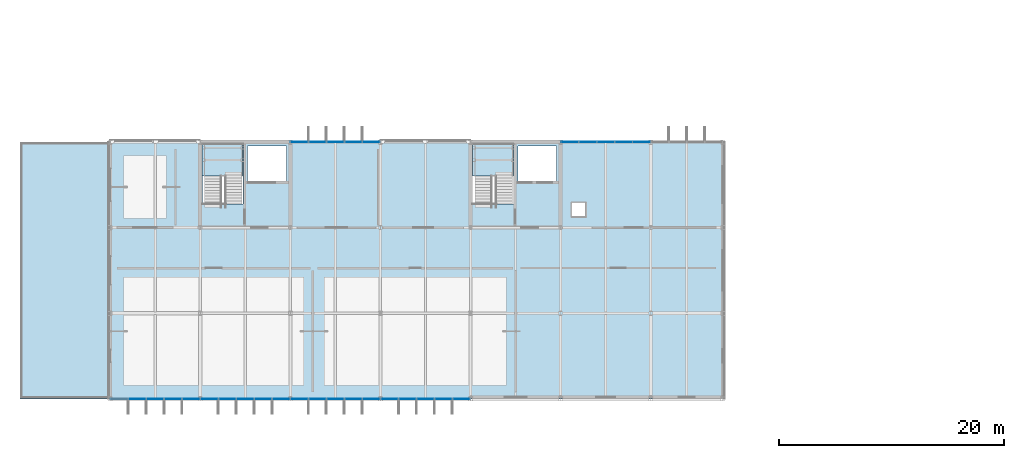
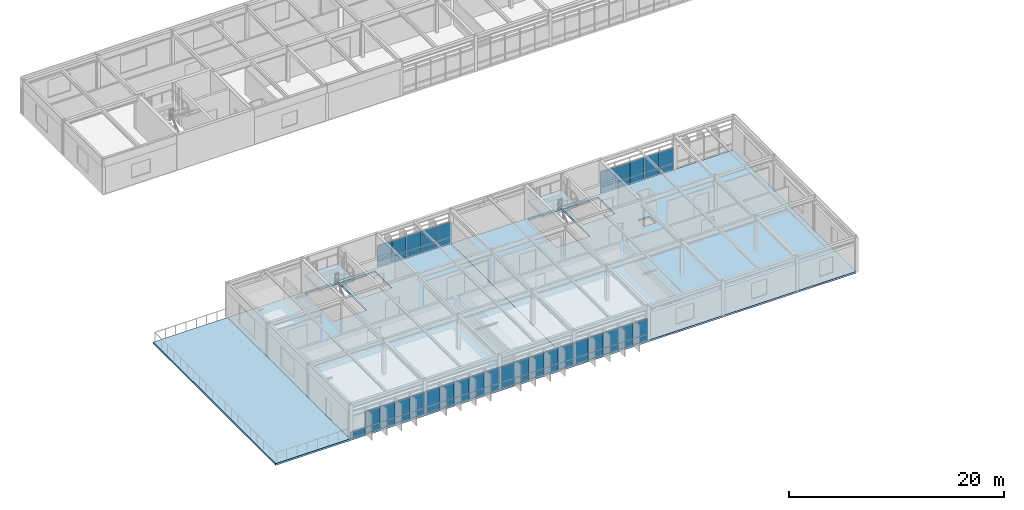
# One storey, part 28 of 45: 59 plates, 5 slabs, 8 elements without a shape of their own.
"""IFC4 building model written with IfcOpenShell, lengths in metres."""

from ifc_helpers import new_model, si_unit, direction, frame, origin, origin_2d, place, context, subcontext, project, spatial, polyline, rectangle, outline, extrude, material, layer, layer_set, type_object, element, aggregate, save


model = new_model("IFC4")

# Units and contexts
model_context = context("Model", 3, precision=1e-05, world=origin(), true_north=direction((0.0, 1.0)))
body_context = subcontext(model_context, "Body", "Model", "MODEL_VIEW")
ifc_project = project(units=[si_unit("LENGTHUNIT", "METRE"), si_unit("AREAUNIT", "SQUARE_METRE"), si_unit("VOLUMEUNIT", "CUBIC_METRE"), si_unit("PLANEANGLEUNIT", "RADIAN"), si_unit("MASSUNIT", "GRAM", prefix="KILO")], contexts=[model_context])

# Site, building, storey
site_placement = place(None, origin())
site = spatial("IfcSite", under=ifc_project, at=site_placement, CompositionType="ELEMENT")
building_placement = place(site_placement, origin())
building = spatial("IfcBuilding", under=site, at=building_placement, Name="Zulena Civic Courthouse", CompositionType="ELEMENT")
storey_placement = place(building_placement, frame((0.0, 0.0, 29.39990234375)))
storey = spatial("IfcBuildingStorey", under=building, at=storey_placement, Name="L06", CompositionType="ELEMENT", Elevation=29.39990234375)

# Curtain wall, plates
ifc_material_1 = material(Name="Double-silver low-E laminated solar-control glass", Category="glass")
curtain_wall_type = type_object("IfcCurtainWallType", Name="CW_7952x3090", PredefinedType="USERDEFINED", material=ifc_material_1)
curtain_wall_1_placement = place(storey_placement, origin())
curtain_wall_1 = element("IfcCurtainWall", 1, at=curtain_wall_1_placement, inside=storey, type_object=curtain_wall_type, Name="cw:V2:L06:1:2", ObjectType="UNITISED CURTAIN WALL", PredefinedType="USERDEFINED")
ifc_material_2 = material(Name="Ceramic-fritted insulated spandrel glass", Category="glass")
ifc_layer_1 = layer(ifc_material_2, 0.0458984375)
ifc_layer_set_1 = layer_set([ifc_layer_1], Name="Ceramic-fritted insulated spandrel glass")
plate_type_1 = type_object("IfcPlateType", Name="CWPanel_Spandrel_46", PredefinedType="CURTAIN_PANEL", material=ifc_layer_set_1)
plate_1_placement = place(storey_placement, frame((28.819091796875, 22.800048828125, 0.070068359375), z_axis=(0.0, 0.0, 1.0), x_axis=(1.0, 0.0, 0.0)))
plate_1 = element("IfcPlate", 2, at=plate_1_placement, type_object=plate_type_1, Name="cw:V2:L06:1:2:panS:0", PredefinedType="CURTAIN_PANEL", context=body_context, shape_type="SweptSolid", body=[
    extrude(rectangle(XDim=1.5400390625, YDim=0.0458984375, at=origin_2d()), origin(), (0.0, 0.0, 1.0), 0.669921875),
])
plate_2_placement = place(storey_placement, frame((30.40966796875, 22.800048828125, 0.070068359375), z_axis=(0.0, 0.0, 1.0), x_axis=(1.0, 0.0, 0.0)))
plate_2 = element("IfcPlate", 3, at=plate_2_placement, type_object=plate_type_1, Name="cw:V2:L06:1:2:panS:1", PredefinedType="CURTAIN_PANEL", context=body_context, shape_type="SweptSolid", body=[
    extrude(rectangle(XDim=1.5400390625, YDim=0.0458984375, at=origin_2d()), origin(), (0.0, 0.0, 1.0), 0.669921875),
])
plate_3_placement = place(storey_placement, frame((32.0, 22.800048828125, 0.070068359375), z_axis=(0.0, 0.0, 1.0), x_axis=(1.0, 0.0, 0.0)))
plate_3 = element("IfcPlate", 4, at=plate_3_placement, type_object=plate_type_1, Name="cw:V2:L06:1:2:panS:2", PredefinedType="CURTAIN_PANEL", context=body_context, shape_type="SweptSolid", body=[
    extrude(rectangle(XDim=1.5400390625, YDim=0.0458984375, at=origin_2d()), origin(), (0.0, 0.0, 1.0), 0.669921875),
])
plate_4_placement = place(storey_placement, frame((33.59033203125, 22.800048828125, 0.070068359375), z_axis=(0.0, 0.0, 1.0), x_axis=(1.0, 0.0, 0.0)))
plate_4 = element("IfcPlate", 5, at=plate_4_placement, type_object=plate_type_1, Name="cw:V2:L06:1:2:panS:3", PredefinedType="CURTAIN_PANEL", context=body_context, shape_type="SweptSolid", body=[
    extrude(rectangle(XDim=1.5400390625, YDim=0.0458984375, at=origin_2d()), origin(), (0.0, 0.0, 1.0), 0.669921875),
])
plate_5_placement = place(storey_placement, frame((35.180908203125, 22.800048828125, 0.070068359375), z_axis=(0.0, 0.0, 1.0), x_axis=(1.0, 0.0, 0.0)))
plate_5 = element("IfcPlate", 6, at=plate_5_placement, type_object=plate_type_1, Name="cw:V2:L06:1:2:panS:4", PredefinedType="CURTAIN_PANEL", context=body_context, shape_type="SweptSolid", body=[
    extrude(rectangle(XDim=1.5400390625, YDim=0.0458984375, at=origin_2d()), origin(), (0.0, 0.0, 1.0), 0.669921875),
])

curtain_wall_2_placement = place(storey_placement, origin())
curtain_wall_2 = element("IfcCurtainWall", 7, at=curtain_wall_2_placement, inside=storey, type_object=curtain_wall_type, Name="cw:V2:L06:1:5", ObjectType="UNITISED CURTAIN WALL", PredefinedType="USERDEFINED")
plate_6_placement = place(storey_placement, frame((52.819091796875, 22.800048828125, 0.070068359375), z_axis=(0.0, 0.0, 1.0), x_axis=(1.0, 0.0, 0.0)))
plate_6 = element("IfcPlate", 8, at=plate_6_placement, type_object=plate_type_1, Name="cw:V2:L06:1:5:panS:0", PredefinedType="CURTAIN_PANEL", context=body_context, shape_type="SweptSolid", body=[
    extrude(rectangle(XDim=1.5400390625, YDim=0.0458984375, at=origin_2d()), origin(), (0.0, 0.0, 1.0), 0.669921875),
])
plate_7_placement = place(storey_placement, frame((54.40966796875, 22.800048828125, 0.070068359375), z_axis=(0.0, 0.0, 1.0), x_axis=(1.0, 0.0, 0.0)))
plate_7 = element("IfcPlate", 9, at=plate_7_placement, type_object=plate_type_1, Name="cw:V2:L06:1:5:panS:1", PredefinedType="CURTAIN_PANEL", context=body_context, shape_type="SweptSolid", body=[
    extrude(rectangle(XDim=1.5400390625, YDim=0.0458984375, at=origin_2d()), origin(), (0.0, 0.0, 1.0), 0.669921875),
])
plate_8_placement = place(storey_placement, frame((56.0, 22.800048828125, 0.070068359375), z_axis=(0.0, 0.0, 1.0), x_axis=(1.0, 0.0, 0.0)))
plate_8 = element("IfcPlate", 10, at=plate_8_placement, type_object=plate_type_1, Name="cw:V2:L06:1:5:panS:2", PredefinedType="CURTAIN_PANEL", context=body_context, shape_type="SweptSolid", body=[
    extrude(rectangle(XDim=1.5400390625, YDim=0.0458984375, at=origin_2d()), origin(), (0.0, 0.0, 1.0), 0.669921875),
])
plate_9_placement = place(storey_placement, frame((57.59033203125, 22.800048828125, 0.070068359375), z_axis=(0.0, 0.0, 1.0), x_axis=(1.0, 0.0, 0.0)))
plate_9 = element("IfcPlate", 11, at=plate_9_placement, type_object=plate_type_1, Name="cw:V2:L06:1:5:panS:3", PredefinedType="CURTAIN_PANEL", context=body_context, shape_type="SweptSolid", body=[
    extrude(rectangle(XDim=1.5400390625, YDim=0.0458984375, at=origin_2d()), origin(), (0.0, 0.0, 1.0), 0.669921875),
])
plate_10_placement = place(storey_placement, frame((59.180908203125, 22.800048828125, 0.070068359375), z_axis=(0.0, 0.0, 1.0), x_axis=(1.0, 0.0, 0.0)))
plate_10 = element("IfcPlate", 12, at=plate_10_placement, type_object=plate_type_1, Name="cw:V2:L06:1:5:panS:4", PredefinedType="CURTAIN_PANEL", context=body_context, shape_type="SweptSolid", body=[
    extrude(rectangle(XDim=1.5400390625, YDim=0.0458984375, at=origin_2d()), origin(), (0.0, 0.0, 1.0), 0.669921875),
])

curtain_wall_3_placement = place(storey_placement, origin())
curtain_wall_3 = element("IfcCurtainWall", 13, at=curtain_wall_3_placement, inside=storey, type_object=curtain_wall_type, Name="cw:V2:L06:3:3", ObjectType="UNITISED CURTAIN WALL", PredefinedType="USERDEFINED")
plate_11_placement = place(storey_placement, frame((43.180908203125, 0.0, 0.070068359375), z_axis=(0.0, 0.0, 1.0), x_axis=(-1.0, 0.0, 0.0)))
plate_11 = element("IfcPlate", 14, at=plate_11_placement, type_object=plate_type_1, Name="cw:V2:L06:3:3:panS:0", PredefinedType="CURTAIN_PANEL", context=body_context, shape_type="SweptSolid", body=[
    extrude(rectangle(XDim=1.5400390625, YDim=0.0458984375, at=origin_2d()), origin(), (0.0, 0.0, 1.0), 0.669921875),
])
plate_12_placement = place(storey_placement, frame((41.59033203125, 0.0, 0.070068359375), z_axis=(0.0, 0.0, 1.0), x_axis=(-1.0, 0.0, 0.0)))
plate_12 = element("IfcPlate", 15, at=plate_12_placement, type_object=plate_type_1, Name="cw:V2:L06:3:3:panS:1", PredefinedType="CURTAIN_PANEL", context=body_context, shape_type="SweptSolid", body=[
    extrude(rectangle(XDim=1.5400390625, YDim=0.0458984375, at=origin_2d()), origin(), (0.0, 0.0, 1.0), 0.669921875),
])
plate_13_placement = place(storey_placement, frame((40.0, 0.0, 0.070068359375), z_axis=(0.0, 0.0, 1.0), x_axis=(-1.0, 0.0, 0.0)))
plate_13 = element("IfcPlate", 16, at=plate_13_placement, type_object=plate_type_1, Name="cw:V2:L06:3:3:panS:2", PredefinedType="CURTAIN_PANEL", context=body_context, shape_type="SweptSolid", body=[
    extrude(rectangle(XDim=1.5400390625, YDim=0.0458984375, at=origin_2d()), origin(), (0.0, 0.0, 1.0), 0.669921875),
])
plate_14_placement = place(storey_placement, frame((38.40966796875, 0.0, 0.070068359375), z_axis=(0.0, 0.0, 1.0), x_axis=(-1.0, 0.0, 0.0)))
plate_14 = element("IfcPlate", 17, at=plate_14_placement, type_object=plate_type_1, Name="cw:V2:L06:3:3:panS:3", PredefinedType="CURTAIN_PANEL", context=body_context, shape_type="SweptSolid", body=[
    extrude(rectangle(XDim=1.5400390625, YDim=0.0458984375, at=origin_2d()), origin(), (0.0, 0.0, 1.0), 0.669921875),
])
plate_15_placement = place(storey_placement, frame((36.819091796875, 0.0, 0.070068359375), z_axis=(0.0, 0.0, 1.0), x_axis=(-1.0, 0.0, 0.0)))
plate_15 = element("IfcPlate", 18, at=plate_15_placement, type_object=plate_type_1, Name="cw:V2:L06:3:3:panS:4", PredefinedType="CURTAIN_PANEL", context=body_context, shape_type="SweptSolid", body=[
    extrude(rectangle(XDim=1.5400390625, YDim=0.0458984375, at=origin_2d()), origin(), (0.0, 0.0, 1.0), 0.669921875),
])

curtain_wall_4_placement = place(storey_placement, origin())
curtain_wall_4 = element("IfcCurtainWall", 19, at=curtain_wall_4_placement, inside=storey, type_object=curtain_wall_type, Name="cw:V2:L06:3:4", ObjectType="UNITISED CURTAIN WALL", PredefinedType="USERDEFINED")
plate_16_placement = place(storey_placement, frame((35.180908203125, 0.0, 0.070068359375), z_axis=(0.0, 0.0, 1.0), x_axis=(-1.0, 0.0, 0.0)))
plate_16 = element("IfcPlate", 20, at=plate_16_placement, type_object=plate_type_1, Name="cw:V2:L06:3:4:panS:0", PredefinedType="CURTAIN_PANEL", context=body_context, shape_type="SweptSolid", body=[
    extrude(rectangle(XDim=1.5400390625, YDim=0.0458984375, at=origin_2d()), origin(), (0.0, 0.0, 1.0), 0.669921875),
])
plate_17_placement = place(storey_placement, frame((33.59033203125, 0.0, 0.070068359375), z_axis=(0.0, 0.0, 1.0), x_axis=(-1.0, 0.0, 0.0)))
plate_17 = element("IfcPlate", 21, at=plate_17_placement, type_object=plate_type_1, Name="cw:V2:L06:3:4:panS:1", PredefinedType="CURTAIN_PANEL", context=body_context, shape_type="SweptSolid", body=[
    extrude(rectangle(XDim=1.5400390625, YDim=0.0458984375, at=origin_2d()), origin(), (0.0, 0.0, 1.0), 0.669921875),
])
plate_18_placement = place(storey_placement, frame((32.0, 0.0, 0.070068359375), z_axis=(0.0, 0.0, 1.0), x_axis=(-1.0, 0.0, 0.0)))
plate_18 = element("IfcPlate", 22, at=plate_18_placement, type_object=plate_type_1, Name="cw:V2:L06:3:4:panS:2", PredefinedType="CURTAIN_PANEL", context=body_context, shape_type="SweptSolid", body=[
    extrude(rectangle(XDim=1.5400390625, YDim=0.0458984375, at=origin_2d()), origin(), (0.0, 0.0, 1.0), 0.669921875),
])
plate_19_placement = place(storey_placement, frame((30.40966796875, 0.0, 0.070068359375), z_axis=(0.0, 0.0, 1.0), x_axis=(-1.0, 0.0, 0.0)))
plate_19 = element("IfcPlate", 23, at=plate_19_placement, type_object=plate_type_1, Name="cw:V2:L06:3:4:panS:3", PredefinedType="CURTAIN_PANEL", context=body_context, shape_type="SweptSolid", body=[
    extrude(rectangle(XDim=1.5400390625, YDim=0.0458984375, at=origin_2d()), origin(), (0.0, 0.0, 1.0), 0.669921875),
])
plate_20_placement = place(storey_placement, frame((28.819091796875, 0.0, 0.070068359375), z_axis=(0.0, 0.0, 1.0), x_axis=(-1.0, 0.0, 0.0)))
plate_20 = element("IfcPlate", 24, at=plate_20_placement, type_object=plate_type_1, Name="cw:V2:L06:3:4:panS:4", PredefinedType="CURTAIN_PANEL", context=body_context, shape_type="SweptSolid", body=[
    extrude(rectangle(XDim=1.5400390625, YDim=0.0458984375, at=origin_2d()), origin(), (0.0, 0.0, 1.0), 0.669921875),
])

curtain_wall_5_placement = place(storey_placement, origin())
curtain_wall_5 = element("IfcCurtainWall", 25, at=curtain_wall_5_placement, inside=storey, type_object=curtain_wall_type, Name="cw:V2:L06:3:5", ObjectType="UNITISED CURTAIN WALL", PredefinedType="USERDEFINED")
plate_21_placement = place(storey_placement, frame((27.180908203125, 0.0, 0.070068359375), z_axis=(0.0, 0.0, 1.0), x_axis=(-1.0, 0.0, 0.0)))
plate_21 = element("IfcPlate", 26, at=plate_21_placement, type_object=plate_type_1, Name="cw:V2:L06:3:5:panS:0", PredefinedType="CURTAIN_PANEL", context=body_context, shape_type="SweptSolid", body=[
    extrude(rectangle(XDim=1.5400390625, YDim=0.0458984375, at=origin_2d()), origin(), (0.0, 0.0, 1.0), 0.669921875),
])
plate_22_placement = place(storey_placement, frame((25.59033203125, 0.0, 0.070068359375), z_axis=(0.0, 0.0, 1.0), x_axis=(-1.0, 0.0, 0.0)))
plate_22 = element("IfcPlate", 27, at=plate_22_placement, type_object=plate_type_1, Name="cw:V2:L06:3:5:panS:1", PredefinedType="CURTAIN_PANEL", context=body_context, shape_type="SweptSolid", body=[
    extrude(rectangle(XDim=1.5400390625, YDim=0.0458984375, at=origin_2d()), origin(), (0.0, 0.0, 1.0), 0.669921875),
])
plate_23_placement = place(storey_placement, frame((24.0, 0.0, 0.070068359375), z_axis=(0.0, 0.0, 1.0), x_axis=(-1.0, 0.0, 0.0)))
plate_23 = element("IfcPlate", 28, at=plate_23_placement, type_object=plate_type_1, Name="cw:V2:L06:3:5:panS:2", PredefinedType="CURTAIN_PANEL", context=body_context, shape_type="SweptSolid", body=[
    extrude(rectangle(XDim=1.5400390625, YDim=0.0458984375, at=origin_2d()), origin(), (0.0, 0.0, 1.0), 0.669921875),
])
plate_24_placement = place(storey_placement, frame((22.40966796875, 0.0, 0.070068359375), z_axis=(0.0, 0.0, 1.0), x_axis=(-1.0, 0.0, 0.0)))
plate_24 = element("IfcPlate", 29, at=plate_24_placement, type_object=plate_type_1, Name="cw:V2:L06:3:5:panS:3", PredefinedType="CURTAIN_PANEL", context=body_context, shape_type="SweptSolid", body=[
    extrude(rectangle(XDim=1.5400390625, YDim=0.0458984375, at=origin_2d()), origin(), (0.0, 0.0, 1.0), 0.669921875),
])
plate_25_placement = place(storey_placement, frame((20.819091796875, 0.0, 0.070068359375), z_axis=(0.0, 0.0, 1.0), x_axis=(-1.0, 0.0, 0.0)))
plate_25 = element("IfcPlate", 30, at=plate_25_placement, type_object=plate_type_1, Name="cw:V2:L06:3:5:panS:4", PredefinedType="CURTAIN_PANEL", context=body_context, shape_type="SweptSolid", body=[
    extrude(rectangle(XDim=1.5400390625, YDim=0.0458984375, at=origin_2d()), origin(), (0.0, 0.0, 1.0), 0.669921875),
])

curtain_wall_6_placement = place(storey_placement, origin())
curtain_wall_6 = element("IfcCurtainWall", 31, at=curtain_wall_6_placement, inside=storey, type_object=curtain_wall_type, Name="cw:V2:L06:3:6", ObjectType="UNITISED CURTAIN WALL", PredefinedType="USERDEFINED")
plate_26_placement = place(storey_placement, frame((19.180908203125, 0.0, 0.070068359375), z_axis=(0.0, 0.0, 1.0), x_axis=(-1.0, 0.0, 0.0)))
plate_26 = element("IfcPlate", 32, at=plate_26_placement, type_object=plate_type_1, Name="cw:V2:L06:3:6:panS:0", PredefinedType="CURTAIN_PANEL", context=body_context, shape_type="SweptSolid", body=[
    extrude(rectangle(XDim=1.5400390625, YDim=0.0458984375, at=origin_2d()), origin(), (0.0, 0.0, 1.0), 0.669921875),
])
plate_27_placement = place(storey_placement, frame((17.59033203125, 0.0, 0.070068359375), z_axis=(0.0, 0.0, 1.0), x_axis=(-1.0, 0.0, 0.0)))
plate_27 = element("IfcPlate", 33, at=plate_27_placement, type_object=plate_type_1, Name="cw:V2:L06:3:6:panS:1", PredefinedType="CURTAIN_PANEL", context=body_context, shape_type="SweptSolid", body=[
    extrude(rectangle(XDim=1.5400390625, YDim=0.0458984375, at=origin_2d()), origin(), (0.0, 0.0, 1.0), 0.669921875),
])
plate_28_placement = place(storey_placement, frame((16.0, 0.0, 0.070068359375), z_axis=(0.0, 0.0, 1.0), x_axis=(-1.0, 0.0, 0.0)))
plate_28 = element("IfcPlate", 34, at=plate_28_placement, type_object=plate_type_1, Name="cw:V2:L06:3:6:panS:2", PredefinedType="CURTAIN_PANEL", context=body_context, shape_type="SweptSolid", body=[
    extrude(rectangle(XDim=1.5400390625, YDim=0.0458984375, at=origin_2d()), origin(), (0.0, 0.0, 1.0), 0.669921875),
])
plate_29_placement = place(storey_placement, frame((14.40966796875, 0.0, 0.070068359375), z_axis=(0.0, 0.0, 1.0), x_axis=(-1.0, 0.0, 0.0)))
plate_29 = element("IfcPlate", 35, at=plate_29_placement, type_object=plate_type_1, Name="cw:V2:L06:3:6:panS:3", PredefinedType="CURTAIN_PANEL", context=body_context, shape_type="SweptSolid", body=[
    extrude(rectangle(XDim=1.5400390625, YDim=0.0458984375, at=origin_2d()), origin(), (0.0, 0.0, 1.0), 0.669921875),
])
plate_30_placement = place(storey_placement, frame((12.819091796875, 0.0, 0.070068359375), z_axis=(0.0, 0.0, 1.0), x_axis=(-1.0, 0.0, 0.0)))
plate_30 = element("IfcPlate", 36, at=plate_30_placement, type_object=plate_type_1, Name="cw:V2:L06:3:6:panS:4", PredefinedType="CURTAIN_PANEL", context=body_context, shape_type="SweptSolid", body=[
    extrude(rectangle(XDim=1.5400390625, YDim=0.0458984375, at=origin_2d()), origin(), (0.0, 0.0, 1.0), 0.669921875),
])

# Plate
ifc_layer_2 = layer(ifc_material_1, 0.035888671875)
ifc_layer_set_2 = layer_set([ifc_layer_2], Name="Double-silver low-E laminated solar-control glass")
plate_type_2 = type_object("IfcPlateType", Name="CWPanel_Vision_36", PredefinedType="CURTAIN_PANEL", material=ifc_layer_set_2)
plate_31_placement = place(storey_placement, frame((28.819091796875, 22.800048828125, 0.760009765625), z_axis=(0.0, 0.0, 1.0), x_axis=(1.0, 0.0, 0.0)))
plate_31 = element("IfcPlate", 37, at=plate_31_placement, type_object=plate_type_2, Name="cw:V2:L06:1:2:panV:0", PredefinedType="CURTAIN_PANEL", context=body_context, shape_type="SweptSolid", body=[
    extrude(rectangle(XDim=1.5400390625, YDim=0.035888671875, at=origin_2d()), origin(), (0.0, 0.0, 1.0), 1.77001953125),
])

plate_32_placement = place(storey_placement, frame((30.40966796875, 22.800048828125, 0.760009765625), z_axis=(0.0, 0.0, 1.0), x_axis=(1.0, 0.0, 0.0)))
plate_32 = element("IfcPlate", 38, at=plate_32_placement, type_object=plate_type_2, Name="cw:V2:L06:1:2:panV:1", PredefinedType="CURTAIN_PANEL", context=body_context, shape_type="SweptSolid", body=[
    extrude(rectangle(XDim=1.5400390625, YDim=0.035888671875, at=origin_2d()), origin(), (0.0, 0.0, 1.0), 1.77001953125),
])

plate_33_placement = place(storey_placement, frame((32.0, 22.800048828125, 0.760009765625), z_axis=(0.0, 0.0, 1.0), x_axis=(1.0, 0.0, 0.0)))
plate_33 = element("IfcPlate", 39, at=plate_33_placement, type_object=plate_type_2, Name="cw:V2:L06:1:2:panV:2", PredefinedType="CURTAIN_PANEL", context=body_context, shape_type="SweptSolid", body=[
    extrude(rectangle(XDim=1.5400390625, YDim=0.035888671875, at=origin_2d()), origin(), (0.0, 0.0, 1.0), 1.77001953125),
])

plate_34_placement = place(storey_placement, frame((33.59033203125, 22.800048828125, 0.760009765625), z_axis=(0.0, 0.0, 1.0), x_axis=(1.0, 0.0, 0.0)))
plate_34 = element("IfcPlate", 40, at=plate_34_placement, type_object=plate_type_2, Name="cw:V2:L06:1:2:panV:3", PredefinedType="CURTAIN_PANEL", context=body_context, shape_type="SweptSolid", body=[
    extrude(rectangle(XDim=1.5400390625, YDim=0.035888671875, at=origin_2d()), origin(), (0.0, 0.0, 1.0), 1.77001953125),
])

plate_35_placement = place(storey_placement, frame((35.180908203125, 22.800048828125, 0.760009765625), z_axis=(0.0, 0.0, 1.0), x_axis=(1.0, 0.0, 0.0)))
plate_35 = element("IfcPlate", 41, at=plate_35_placement, type_object=plate_type_2, Name="cw:V2:L06:1:2:panV:4", PredefinedType="CURTAIN_PANEL", context=body_context, shape_type="SweptSolid", body=[
    extrude(rectangle(XDim=1.5400390625, YDim=0.035888671875, at=origin_2d()), origin(), (0.0, 0.0, 1.0), 1.77001953125),
])

aggregate(curtain_wall_1, [plate_31, plate_1, plate_32, plate_2, plate_33, plate_3, plate_34, plate_4, plate_35, plate_5])

plate_36_placement = place(storey_placement, frame((52.819091796875, 22.800048828125, 0.760009765625), z_axis=(0.0, 0.0, 1.0), x_axis=(1.0, 0.0, 0.0)))
plate_36 = element("IfcPlate", 42, at=plate_36_placement, type_object=plate_type_2, Name="cw:V2:L06:1:5:panV:0", PredefinedType="CURTAIN_PANEL", context=body_context, shape_type="SweptSolid", body=[
    extrude(rectangle(XDim=1.5400390625, YDim=0.035888671875, at=origin_2d()), origin(), (0.0, 0.0, 1.0), 1.77001953125),
])

plate_37_placement = place(storey_placement, frame((54.40966796875, 22.800048828125, 0.760009765625), z_axis=(0.0, 0.0, 1.0), x_axis=(1.0, 0.0, 0.0)))
plate_37 = element("IfcPlate", 43, at=plate_37_placement, type_object=plate_type_2, Name="cw:V2:L06:1:5:panV:1", PredefinedType="CURTAIN_PANEL", context=body_context, shape_type="SweptSolid", body=[
    extrude(rectangle(XDim=1.5400390625, YDim=0.035888671875, at=origin_2d()), origin(), (0.0, 0.0, 1.0), 1.77001953125),
])

plate_38_placement = place(storey_placement, frame((56.0, 22.800048828125, 0.760009765625), z_axis=(0.0, 0.0, 1.0), x_axis=(1.0, 0.0, 0.0)))
plate_38 = element("IfcPlate", 44, at=plate_38_placement, type_object=plate_type_2, Name="cw:V2:L06:1:5:panV:2", PredefinedType="CURTAIN_PANEL", context=body_context, shape_type="SweptSolid", body=[
    extrude(rectangle(XDim=1.5400390625, YDim=0.035888671875, at=origin_2d()), origin(), (0.0, 0.0, 1.0), 1.77001953125),
])

plate_39_placement = place(storey_placement, frame((57.59033203125, 22.800048828125, 0.760009765625), z_axis=(0.0, 0.0, 1.0), x_axis=(1.0, 0.0, 0.0)))
plate_39 = element("IfcPlate", 45, at=plate_39_placement, type_object=plate_type_2, Name="cw:V2:L06:1:5:panV:3", PredefinedType="CURTAIN_PANEL", context=body_context, shape_type="SweptSolid", body=[
    extrude(rectangle(XDim=1.5400390625, YDim=0.035888671875, at=origin_2d()), origin(), (0.0, 0.0, 1.0), 1.77001953125),
])

plate_40_placement = place(storey_placement, frame((59.180908203125, 22.800048828125, 0.760009765625), z_axis=(0.0, 0.0, 1.0), x_axis=(1.0, 0.0, 0.0)))
plate_40 = element("IfcPlate", 46, at=plate_40_placement, type_object=plate_type_2, Name="cw:V2:L06:1:5:panV:4", PredefinedType="CURTAIN_PANEL", context=body_context, shape_type="SweptSolid", body=[
    extrude(rectangle(XDim=1.5400390625, YDim=0.035888671875, at=origin_2d()), origin(), (0.0, 0.0, 1.0), 1.77001953125),
])

aggregate(curtain_wall_2, [plate_36, plate_6, plate_37, plate_7, plate_38, plate_8, plate_39, plate_9, plate_40, plate_10])

plate_41_placement = place(storey_placement, frame((43.180908203125, 0.0, 0.760009765625), z_axis=(0.0, 0.0, 1.0), x_axis=(-1.0, 0.0, 0.0)))
plate_41 = element("IfcPlate", 47, at=plate_41_placement, type_object=plate_type_2, Name="cw:V2:L06:3:3:panV:0", PredefinedType="CURTAIN_PANEL", context=body_context, shape_type="SweptSolid", body=[
    extrude(rectangle(XDim=1.5400390625, YDim=0.035888671875, at=origin_2d()), origin(), (0.0, 0.0, 1.0), 1.77001953125),
])

plate_42_placement = place(storey_placement, frame((41.59033203125, 0.0, 0.760009765625), z_axis=(0.0, 0.0, 1.0), x_axis=(-1.0, 0.0, 0.0)))
plate_42 = element("IfcPlate", 48, at=plate_42_placement, type_object=plate_type_2, Name="cw:V2:L06:3:3:panV:1", PredefinedType="CURTAIN_PANEL", context=body_context, shape_type="SweptSolid", body=[
    extrude(rectangle(XDim=1.5400390625, YDim=0.035888671875, at=origin_2d()), origin(), (0.0, 0.0, 1.0), 1.77001953125),
])

plate_43_placement = place(storey_placement, frame((40.0, 0.0, 0.760009765625), z_axis=(0.0, 0.0, 1.0), x_axis=(-1.0, 0.0, 0.0)))
plate_43 = element("IfcPlate", 49, at=plate_43_placement, type_object=plate_type_2, Name="cw:V2:L06:3:3:panV:2", PredefinedType="CURTAIN_PANEL", context=body_context, shape_type="SweptSolid", body=[
    extrude(rectangle(XDim=1.5400390625, YDim=0.035888671875, at=origin_2d()), origin(), (0.0, 0.0, 1.0), 1.77001953125),
])

plate_44_placement = place(storey_placement, frame((38.40966796875, 0.0, 0.760009765625), z_axis=(0.0, 0.0, 1.0), x_axis=(-1.0, 0.0, 0.0)))
plate_44 = element("IfcPlate", 50, at=plate_44_placement, type_object=plate_type_2, Name="cw:V2:L06:3:3:panV:3", PredefinedType="CURTAIN_PANEL", context=body_context, shape_type="SweptSolid", body=[
    extrude(rectangle(XDim=1.5400390625, YDim=0.035888671875, at=origin_2d()), origin(), (0.0, 0.0, 1.0), 1.77001953125),
])

plate_45_placement = place(storey_placement, frame((36.819091796875, 0.0, 0.760009765625), z_axis=(0.0, 0.0, 1.0), x_axis=(-1.0, 0.0, 0.0)))
plate_45 = element("IfcPlate", 51, at=plate_45_placement, type_object=plate_type_2, Name="cw:V2:L06:3:3:panV:4", PredefinedType="CURTAIN_PANEL", context=body_context, shape_type="SweptSolid", body=[
    extrude(rectangle(XDim=1.5400390625, YDim=0.035888671875, at=origin_2d()), origin(), (0.0, 0.0, 1.0), 1.77001953125),
])

aggregate(curtain_wall_3, [plate_41, plate_11, plate_42, plate_12, plate_43, plate_13, plate_44, plate_14, plate_45, plate_15])

plate_46_placement = place(storey_placement, frame((35.180908203125, 0.0, 0.760009765625), z_axis=(0.0, 0.0, 1.0), x_axis=(-1.0, 0.0, 0.0)))
plate_46 = element("IfcPlate", 52, at=plate_46_placement, type_object=plate_type_2, Name="cw:V2:L06:3:4:panV:0", PredefinedType="CURTAIN_PANEL", context=body_context, shape_type="SweptSolid", body=[
    extrude(rectangle(XDim=1.5400390625, YDim=0.035888671875, at=origin_2d()), origin(), (0.0, 0.0, 1.0), 1.77001953125),
])

plate_47_placement = place(storey_placement, frame((33.59033203125, 0.0, 0.760009765625), z_axis=(0.0, 0.0, 1.0), x_axis=(-1.0, 0.0, 0.0)))
plate_47 = element("IfcPlate", 53, at=plate_47_placement, type_object=plate_type_2, Name="cw:V2:L06:3:4:panV:1", PredefinedType="CURTAIN_PANEL", context=body_context, shape_type="SweptSolid", body=[
    extrude(rectangle(XDim=1.5400390625, YDim=0.035888671875, at=origin_2d()), origin(), (0.0, 0.0, 1.0), 1.77001953125),
])

plate_48_placement = place(storey_placement, frame((32.0, 0.0, 0.760009765625), z_axis=(0.0, 0.0, 1.0), x_axis=(-1.0, 0.0, 0.0)))
plate_48 = element("IfcPlate", 54, at=plate_48_placement, type_object=plate_type_2, Name="cw:V2:L06:3:4:panV:2", PredefinedType="CURTAIN_PANEL", context=body_context, shape_type="SweptSolid", body=[
    extrude(rectangle(XDim=1.5400390625, YDim=0.035888671875, at=origin_2d()), origin(), (0.0, 0.0, 1.0), 1.77001953125),
])

plate_49_placement = place(storey_placement, frame((30.40966796875, 0.0, 0.760009765625), z_axis=(0.0, 0.0, 1.0), x_axis=(-1.0, 0.0, 0.0)))
plate_49 = element("IfcPlate", 55, at=plate_49_placement, type_object=plate_type_2, Name="cw:V2:L06:3:4:panV:3", PredefinedType="CURTAIN_PANEL", context=body_context, shape_type="SweptSolid", body=[
    extrude(rectangle(XDim=1.5400390625, YDim=0.035888671875, at=origin_2d()), origin(), (0.0, 0.0, 1.0), 1.77001953125),
])

plate_50_placement = place(storey_placement, frame((28.819091796875, 0.0, 0.760009765625), z_axis=(0.0, 0.0, 1.0), x_axis=(-1.0, 0.0, 0.0)))
plate_50 = element("IfcPlate", 56, at=plate_50_placement, type_object=plate_type_2, Name="cw:V2:L06:3:4:panV:4", PredefinedType="CURTAIN_PANEL", context=body_context, shape_type="SweptSolid", body=[
    extrude(rectangle(XDim=1.5400390625, YDim=0.035888671875, at=origin_2d()), origin(), (0.0, 0.0, 1.0), 1.77001953125),
])

aggregate(curtain_wall_4, [plate_46, plate_16, plate_47, plate_17, plate_48, plate_18, plate_49, plate_19, plate_50, plate_20])

plate_51_placement = place(storey_placement, frame((27.180908203125, 0.0, 0.760009765625), z_axis=(0.0, 0.0, 1.0), x_axis=(-1.0, 0.0, 0.0)))
plate_51 = element("IfcPlate", 57, at=plate_51_placement, type_object=plate_type_2, Name="cw:V2:L06:3:5:panV:0", PredefinedType="CURTAIN_PANEL", context=body_context, shape_type="SweptSolid", body=[
    extrude(rectangle(XDim=1.5400390625, YDim=0.035888671875, at=origin_2d()), origin(), (0.0, 0.0, 1.0), 1.77001953125),
])

plate_52_placement = place(storey_placement, frame((25.59033203125, 0.0, 0.760009765625), z_axis=(0.0, 0.0, 1.0), x_axis=(-1.0, 0.0, 0.0)))
plate_52 = element("IfcPlate", 58, at=plate_52_placement, type_object=plate_type_2, Name="cw:V2:L06:3:5:panV:1", PredefinedType="CURTAIN_PANEL", context=body_context, shape_type="SweptSolid", body=[
    extrude(rectangle(XDim=1.5400390625, YDim=0.035888671875, at=origin_2d()), origin(), (0.0, 0.0, 1.0), 1.77001953125),
])

plate_53_placement = place(storey_placement, frame((24.0, 0.0, 0.760009765625), z_axis=(0.0, 0.0, 1.0), x_axis=(-1.0, 0.0, 0.0)))
plate_53 = element("IfcPlate", 59, at=plate_53_placement, type_object=plate_type_2, Name="cw:V2:L06:3:5:panV:2", PredefinedType="CURTAIN_PANEL", context=body_context, shape_type="SweptSolid", body=[
    extrude(rectangle(XDim=1.5400390625, YDim=0.035888671875, at=origin_2d()), origin(), (0.0, 0.0, 1.0), 1.77001953125),
])

plate_54_placement = place(storey_placement, frame((22.40966796875, 0.0, 0.760009765625), z_axis=(0.0, 0.0, 1.0), x_axis=(-1.0, 0.0, 0.0)))
plate_54 = element("IfcPlate", 60, at=plate_54_placement, type_object=plate_type_2, Name="cw:V2:L06:3:5:panV:3", PredefinedType="CURTAIN_PANEL", context=body_context, shape_type="SweptSolid", body=[
    extrude(rectangle(XDim=1.5400390625, YDim=0.035888671875, at=origin_2d()), origin(), (0.0, 0.0, 1.0), 1.77001953125),
])

plate_55_placement = place(storey_placement, frame((20.819091796875, 0.0, 0.760009765625), z_axis=(0.0, 0.0, 1.0), x_axis=(-1.0, 0.0, 0.0)))
plate_55 = element("IfcPlate", 61, at=plate_55_placement, type_object=plate_type_2, Name="cw:V2:L06:3:5:panV:4", PredefinedType="CURTAIN_PANEL", context=body_context, shape_type="SweptSolid", body=[
    extrude(rectangle(XDim=1.5400390625, YDim=0.035888671875, at=origin_2d()), origin(), (0.0, 0.0, 1.0), 1.77001953125),
])

aggregate(curtain_wall_5, [plate_51, plate_21, plate_52, plate_22, plate_53, plate_23, plate_54, plate_24, plate_55, plate_25])

plate_56_placement = place(storey_placement, frame((19.180908203125, 0.0, 0.760009765625), z_axis=(0.0, 0.0, 1.0), x_axis=(-1.0, 0.0, 0.0)))
plate_56 = element("IfcPlate", 62, at=plate_56_placement, type_object=plate_type_2, Name="cw:V2:L06:3:6:panV:0", PredefinedType="CURTAIN_PANEL", context=body_context, shape_type="SweptSolid", body=[
    extrude(rectangle(XDim=1.5400390625, YDim=0.035888671875, at=origin_2d()), origin(), (0.0, 0.0, 1.0), 1.77001953125),
])

plate_57_placement = place(storey_placement, frame((17.59033203125, 0.0, 0.760009765625), z_axis=(0.0, 0.0, 1.0), x_axis=(-1.0, 0.0, 0.0)))
plate_57 = element("IfcPlate", 63, at=plate_57_placement, type_object=plate_type_2, Name="cw:V2:L06:3:6:panV:1", PredefinedType="CURTAIN_PANEL", context=body_context, shape_type="SweptSolid", body=[
    extrude(rectangle(XDim=1.5400390625, YDim=0.035888671875, at=origin_2d()), origin(), (0.0, 0.0, 1.0), 1.77001953125),
])

plate_58_placement = place(storey_placement, frame((16.0, 0.0, 0.760009765625), z_axis=(0.0, 0.0, 1.0), x_axis=(-1.0, 0.0, 0.0)))
plate_58 = element("IfcPlate", 64, at=plate_58_placement, type_object=plate_type_2, Name="cw:V2:L06:3:6:panV:2", PredefinedType="CURTAIN_PANEL", context=body_context, shape_type="SweptSolid", body=[
    extrude(rectangle(XDim=1.5400390625, YDim=0.035888671875, at=origin_2d()), origin(), (0.0, 0.0, 1.0), 1.77001953125),
])

plate_59_placement = place(storey_placement, frame((14.40966796875, 0.0, 0.760009765625), z_axis=(0.0, 0.0, 1.0), x_axis=(-1.0, 0.0, 0.0)))
plate_59 = element("IfcPlate", 65, at=plate_59_placement, type_object=plate_type_2, Name="cw:V2:L06:3:6:panV:3", PredefinedType="CURTAIN_PANEL", context=body_context, shape_type="SweptSolid", body=[
    extrude(rectangle(XDim=1.5400390625, YDim=0.035888671875, at=origin_2d()), origin(), (0.0, 0.0, 1.0), 1.77001953125),
])

aggregate(curtain_wall_6, [plate_56, plate_26, plate_57, plate_27, plate_58, plate_28, plate_59, plate_29, plate_30])

# Slabs
ifc_material_3 = material(Name="Concrete C35/45", Category="concrete")
ifc_layer_3 = layer(ifc_material_3, 0.205078125)
ifc_layer_set_3 = layer_set([ifc_layer_3], Name="Concrete C35/45")
slab_type_1 = type_object("IfcSlabType", Name="FloorSlab_205", PredefinedType="FLOOR", material=ifc_layer_set_3)
slab_1_placement = place(storey_placement, frame((0.0, 0.0, -0.204833984375)))
element("IfcSlab", 66, at=slab_1_placement, inside=storey, type_object=slab_type_1, Name="slab:V2:L06_1", PredefinedType="FLOOR", context=body_context, shape_type="SweptSolid", body=[
    extrude(outline(polyline([(36.0, 22.800048828125), (36.0, 0.0), (12.0, 0.0), (12.0, 22.800048828125), (36.0, 22.800048828125)]), holes=[polyline([(23.81005859375, 22.610107421875), (20.18994140625, 22.610107421875), (20.18994140625, 17.320068359375), (23.81005859375, 17.320068359375), (23.81005859375, 22.610107421875)]), polyline([(27.64990234375, 19.300048828125), (27.64990234375, 22.449951171875), (24.199951171875, 22.449951171875), (24.199951171875, 19.300048828125), (27.64990234375, 19.300048828125)])]), origin(), (0.0, 0.0, 1.0), 0.204833984375),
])
slab_2_placement = place(storey_placement, frame((0.0, 0.0, -0.204833984375)))
element("IfcSlab", 67, at=slab_2_placement, inside=storey, type_object=slab_type_1, Name="slab:V2:L06_2", PredefinedType="FLOOR", context=body_context, shape_type="SweptSolid", body=[
    extrude(outline(polyline([(66.39990234375, 22.800048828125), (66.39990234375, 0.0), (36.0, 0.0), (36.0, 22.800048828125), (66.39990234375, 22.800048828125)]), holes=[polyline([(44.18994140625, 17.320068359375), (47.81005859375, 17.320068359375), (47.81005859375, 22.610107421875), (44.18994140625, 22.610107421875), (44.18994140625, 17.320068359375)]), polyline([(48.199951171875, 22.449951171875), (48.199951171875, 19.300048828125), (51.64990234375, 19.300048828125), (51.64990234375, 22.449951171875), (48.199951171875, 22.449951171875)]), polyline([(54.199951171875, 17.39990234375), (53.0, 17.39990234375), (53.0, 16.199951171875), (54.199951171875, 16.199951171875), (54.199951171875, 17.39990234375)])]), origin(), (0.0, 0.0, 1.0), 0.204833984375),
])

# Stair, slab
ifc_material_4 = material(Name="Precast concrete C40/50", Category="concrete")
stair_type = type_object("IfcStairType", Name="HalfTurnStair_4200", PredefinedType="HALF_TURN_STAIR", material=ifc_material_4)
stair_1_placement = place(storey_placement, origin())
stair_1 = element("IfcStair", 68, at=stair_1_placement, inside=storey, type_object=stair_type, Name="stair:K2A:L06", PredefinedType="HALF_TURN_STAIR")
ifc_layer_4 = layer(ifc_material_4, 0.280029296875)
ifc_layer_set_4 = layer_set([ifc_layer_4], Name="Precast concrete C40/50")
slab_type_2 = type_object("IfcSlabType", Name="StairLandingSlab_280", PredefinedType="LANDING", material=ifc_layer_set_4)
slab_3_placement = place(storey_placement, frame((0.0, 0.0, 1.820068359375)))
slab_3 = element("IfcSlab", 69, at=slab_3_placement, type_object=slab_type_2, Name="stair:K2A:L06:LND", PredefinedType="LANDING", context=body_context, shape_type="SweptSolid", body=[
    extrude(outline(polyline([(20.179931640625, 19.78466796875), (23.820068359375, 19.78466796875), (23.820068359375, 22.6201171875), (20.179931640625, 22.6201171875), (20.179931640625, 19.78466796875)])), origin(), (0.0, 0.0, 1.0), 0.280029296875),
])
aggregate(stair_1, [slab_3])

stair_2_placement = place(storey_placement, origin())
stair_2 = element("IfcStair", 70, at=stair_2_placement, inside=storey, type_object=stair_type, Name="stair:K2B:L06", PredefinedType="HALF_TURN_STAIR")
slab_4_placement = place(storey_placement, frame((0.0, 0.0, 1.820068359375)))
slab_4 = element("IfcSlab", 71, at=slab_4_placement, type_object=slab_type_2, Name="stair:K2B:L06:LND", PredefinedType="LANDING", context=body_context, shape_type="SweptSolid", body=[
    extrude(outline(polyline([(44.179931640625, 19.78466796875), (47.820068359375, 19.78466796875), (47.820068359375, 22.6201171875), (44.179931640625, 22.6201171875), (44.179931640625, 19.78466796875)])), origin(), (0.0, 0.0, 1.0), 0.280029296875),
])
aggregate(stair_2, [slab_4])

# Slab
ifc_layer_5 = layer(ifc_material_3, 0.2099609375)
ifc_layer_set_5 = layer_set([ifc_layer_5], Name="Concrete C35/45")
slab_type_3 = type_object("IfcSlabType", Name="TerraceSlab_210", PredefinedType="FLOOR", material=ifc_layer_set_5)
slab_5_placement = place(storey_placement, frame((0.0, 0.0, -0.2099609375)))
element("IfcSlab", 72, at=slab_5_placement, inside=storey, type_object=slab_type_3, Name="slab:terrace:TR-V2-L06", PredefinedType="FLOOR", context=body_context, shape_type="SweptSolid", body=[
    extrude(outline(polyline([(4.0, 0.0), (12.0, 0.0), (12.0, 22.800048828125), (4.0, 22.800048828125), (4.0, 0.0)])), origin(), (0.0, 0.0, 1.0), 0.2099609375),
])

save(model, "model.ifc")
